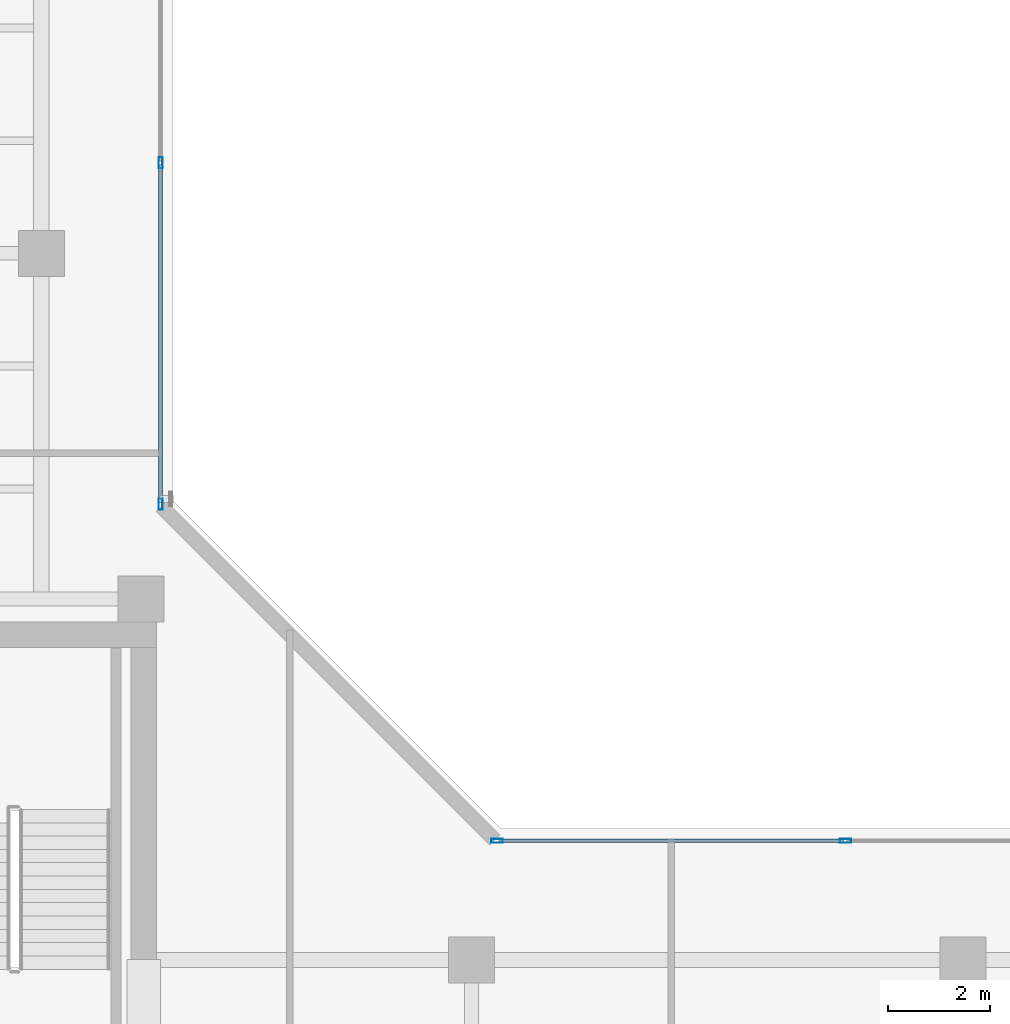
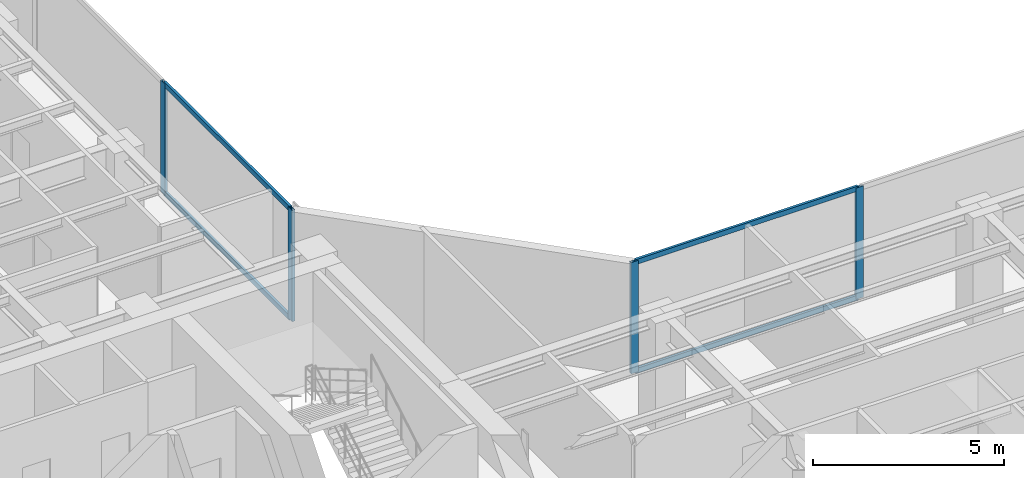
# One storey, part 9 of 22: 8 members, 2 elements without a shape of their own.
"""IFC4 building model written with IfcOpenShell, lengths in metres."""

from ifc_helpers import new_model, si_unit, direction, frame, origin, origin_with_axes, origin_2d, place, context, subcontext, project, spatial, hollow_rectangle, extrude, source, transform, mapped, material, layer, layer_set, material_profile, profile_set, type_object, element, aggregate, save


model = new_model("IFC4")

# Units and contexts
model_context = context("Model", 3, precision=1e-05, world=origin(), true_north=direction((0.0, 1.0)))
body_context = subcontext(model_context, "Body", "Model", "MODEL_VIEW")
ifc_project = project(units=[si_unit("LENGTHUNIT", "METRE"), si_unit("AREAUNIT", "SQUARE_METRE"), si_unit("VOLUMEUNIT", "CUBIC_METRE"), si_unit("PLANEANGLEUNIT", "RADIAN"), si_unit("MASSUNIT", "GRAM", prefix="KILO")], contexts=[model_context])

# Site, building, storey
site_placement = place(None, origin())
site = spatial("IfcSite", under=ifc_project, at=site_placement, CompositionType="ELEMENT")
building_placement = place(site_placement, origin())
building = spatial("IfcBuilding", under=site, at=building_placement, Name="Kolvaren Waterfront Exchange", CompositionType="ELEMENT")
storey_placement = place(building_placement, frame((0.0, 0.0, 274.199951171875)))
storey = spatial("IfcBuildingStorey", under=building, at=storey_placement, Name="L70", CompositionType="ELEMENT", Elevation=274.199951171875)

# Curtain wall, members
ifc_material_1 = material(Name="Anodised bronze aluminium 6063-T6", Category="aluminium")
ifc_layer = layer(ifc_material_1, 0.219970703125, Name="Anodised bronze aluminium 6063-T6")
ifc_layer_set = layer_set([ifc_layer], Name="Anodised bronze aluminium 6063-T6")
curtain_wall_type = type_object("IfcCurtainWallType", Name="ARC-CW-SYS1", PredefinedType="USERDEFINED", material=ifc_layer_set)
curtain_wall_1_placement = place(storey_placement, origin())
curtain_wall_1 = element("IfcCurtainWall", 1, at=curtain_wall_1_placement, inside=storey, type_object=curtain_wall_type, Name="L70 stick curtain wall CW1 (CW-L70-NE)", ObjectType="STICK CURTAIN WALL", PredefinedType="USERDEFINED")
ifc_material_2 = material(Name="Anodised aluminium 6063-T6", Category="aluminium")
ifc_material_profile_1 = material_profile(ifc_material_2, hollow_rectangle(XDim=0.080078125, YDim=0.219970703125, WallThickness=0.0048828125, at=origin_2d()), Name="ALU-MUL-220x80x5")
ifc_profile_set_1 = profile_set([ifc_material_profile_1], Name="Anodised aluminium 6063-T6")
member_type_1 = type_object("IfcMemberType", Name="ARC-CWM-220", PredefinedType="MULLION", material=ifc_profile_set_1)
shared_shape_1 = source(origin_with_axes(), body_context, "Body", "SweptSolid", [
    extrude(hollow_rectangle(XDim=0.080078125, YDim=0.219970703125, WallThickness=0.0048828125, at=origin_2d()), origin(), (0.0, 0.0, 1.0), 3.56005859375),
])
member_1_placement = place(storey_placement, frame((21.12841796875, 26.29833984375, 0.0), z_axis=(0.0, 0.0, 1.0), x_axis=(-1.0, 0.0, 0.0)))
member_1 = element("IfcMember", 2, at=member_1_placement, type_object=member_type_1, Name="CW1 mullion 1", PredefinedType="MULLION", context=body_context, shape_type="MappedRepresentation", body=[
    mapped(shared_shape_1, transform((0.0, 0.0, 0.0), x_axis=(1.0, 0.0, 0.0), y_axis=(0.0, 1.0, 0.0), z_axis=(0.0, 0.0, 1.0), scale=1.0)),
])
member_2_placement = place(storey_placement, frame((21.12841796875, 32.96875, 0.0), z_axis=(0.0, 0.0, 1.0), x_axis=(-1.0, 0.0, 0.0)))
member_2 = element("IfcMember", 3, at=member_2_placement, type_object=member_type_1, Name="CW1 mullion 2", PredefinedType="MULLION", context=body_context, shape_type="MappedRepresentation", body=[
    mapped(shared_shape_1, transform((0.0, 0.0, 0.0), x_axis=(1.0, 0.0, 0.0), y_axis=(0.0, 1.0, 0.0), z_axis=(0.0, 0.0, 1.0), scale=1.0)),
])

curtain_wall_2_placement = place(storey_placement, origin())
curtain_wall_2 = element("IfcCurtainWall", 4, at=curtain_wall_2_placement, inside=storey, type_object=curtain_wall_type, Name="L70 stick curtain wall CW1 (CW-L70-EN)", ObjectType="STICK CURTAIN WALL", PredefinedType="USERDEFINED")
member_3_placement = place(storey_placement, frame((27.698486328125, 19.728515625, 0.0), z_axis=(0.0, 0.0, 1.0), x_axis=(0.0, 1.0, 0.0)))
member_3 = element("IfcMember", 5, at=member_3_placement, type_object=member_type_1, Name="CW1 mullion 1", PredefinedType="MULLION", context=body_context, shape_type="MappedRepresentation", body=[
    mapped(shared_shape_1, transform((0.0, 0.0, 0.0), x_axis=(1.0, 0.0, 0.0), y_axis=(0.0, 1.0, 0.0), z_axis=(0.0, 0.0, 1.0), scale=1.0)),
])
member_4_placement = place(storey_placement, frame((34.502197265625, 19.728515625, 0.0), z_axis=(0.0, 0.0, 1.0), x_axis=(0.0, 1.0, 0.0)))
member_4 = element("IfcMember", 6, at=member_4_placement, type_object=member_type_1, Name="CW1 mullion 2", PredefinedType="MULLION", context=body_context, shape_type="MappedRepresentation", body=[
    mapped(shared_shape_1, transform((0.0, 0.0, 0.0), x_axis=(1.0, 0.0, 0.0), y_axis=(0.0, 1.0, 0.0), z_axis=(0.0, 0.0, 1.0), scale=1.0)),
])

# Member
ifc_material_profile_2 = material_profile(ifc_material_2, hollow_rectangle(XDim=0.074951171875, YDim=0.159912109375, WallThickness=0.00439453125, at=origin_2d()), Name="ALU-TRN-160x75x4.5")
ifc_profile_set_2 = profile_set([ifc_material_profile_2], Name="Anodised aluminium 6063-T6")
member_type_2 = type_object("IfcMemberType", Name="ARC-CWT-160", PredefinedType="USERDEFINED", material=ifc_profile_set_2)
shared_shape_2 = source(origin_with_axes(), body_context, "Body", "SweptSolid", [
    extrude(hollow_rectangle(XDim=0.074951171875, YDim=0.159912109375, WallThickness=0.00439453125, at=origin_2d()), origin(), (0.0, 0.0, 1.0), 6.59033203125),
])
member_5_placement = place(storey_placement, frame((21.12841796875, 26.33837890625, 0.03759765625), z_axis=(0.0, 1.0, 0.0), x_axis=(-1.0, 0.0, 0.0)))
member_5 = element("IfcMember", 7, at=member_5_placement, type_object=member_type_2, Name="CW1 transom 1.1", ObjectType="TRANSOM", PredefinedType="USERDEFINED", context=body_context, shape_type="MappedRepresentation", body=[
    mapped(shared_shape_2, transform((0.0, 0.0, 0.0), x_axis=(1.0, 0.0, 0.0), y_axis=(0.0, 1.0, 0.0), z_axis=(0.0, 0.0, 1.0), scale=1.0)),
])

member_6_placement = place(storey_placement, frame((21.12841796875, 26.33837890625, 3.5224609375), z_axis=(0.0, 1.0, 0.0), x_axis=(-1.0, 0.0, 0.0)))
member_6 = element("IfcMember", 8, at=member_6_placement, type_object=member_type_2, Name="CW1 transom 1.2", ObjectType="TRANSOM", PredefinedType="USERDEFINED", context=body_context, shape_type="MappedRepresentation", body=[
    mapped(shared_shape_2, transform((0.0, 0.0, 0.0), x_axis=(1.0, 0.0, 0.0), y_axis=(0.0, 1.0, 0.0), z_axis=(0.0, 0.0, 1.0), scale=1.0)),
])

aggregate(curtain_wall_1, [member_1, member_2, member_5, member_6])

shared_shape_3 = source(origin_with_axes(), body_context, "Body", "SweptSolid", [
    extrude(hollow_rectangle(XDim=0.074951171875, YDim=0.159912109375, WallThickness=0.00439453125, at=origin_2d()), origin(), (0.0, 0.0, 1.0), 6.723876953125),
])
member_7_placement = place(storey_placement, frame((27.73828125, 19.728515625, 0.03759765625), z_axis=(1.0, 0.0, 0.0), x_axis=(0.0, 1.0, 0.0)))
member_7 = element("IfcMember", 9, at=member_7_placement, type_object=member_type_2, Name="CW1 transom 1.1", ObjectType="TRANSOM", PredefinedType="USERDEFINED", context=body_context, shape_type="MappedRepresentation", body=[
    mapped(shared_shape_3, transform((0.0, 0.0, 0.0), x_axis=(1.0, 0.0, 0.0), y_axis=(0.0, 1.0, 0.0), z_axis=(0.0, 0.0, 1.0), scale=1.0)),
])

member_8_placement = place(storey_placement, frame((27.73828125, 19.728515625, 3.5224609375), z_axis=(1.0, 0.0, 0.0), x_axis=(0.0, 1.0, 0.0)))
member_8 = element("IfcMember", 10, at=member_8_placement, type_object=member_type_2, Name="CW1 transom 1.2", ObjectType="TRANSOM", PredefinedType="USERDEFINED", context=body_context, shape_type="MappedRepresentation", body=[
    mapped(shared_shape_3, transform((0.0, 0.0, 0.0), x_axis=(1.0, 0.0, 0.0), y_axis=(0.0, 1.0, 0.0), z_axis=(0.0, 0.0, 1.0), scale=1.0)),
])

aggregate(curtain_wall_2, [member_3, member_4, member_7, member_8])

save(model, "model.ifc")
